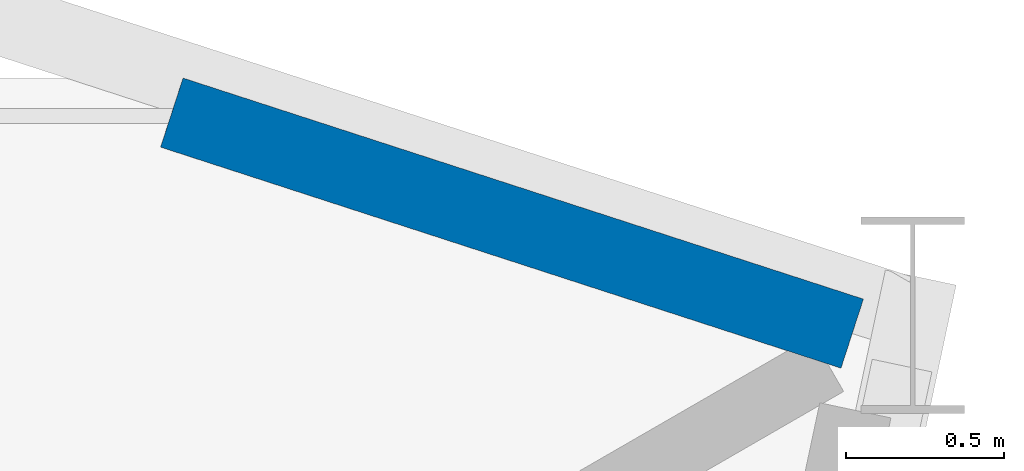
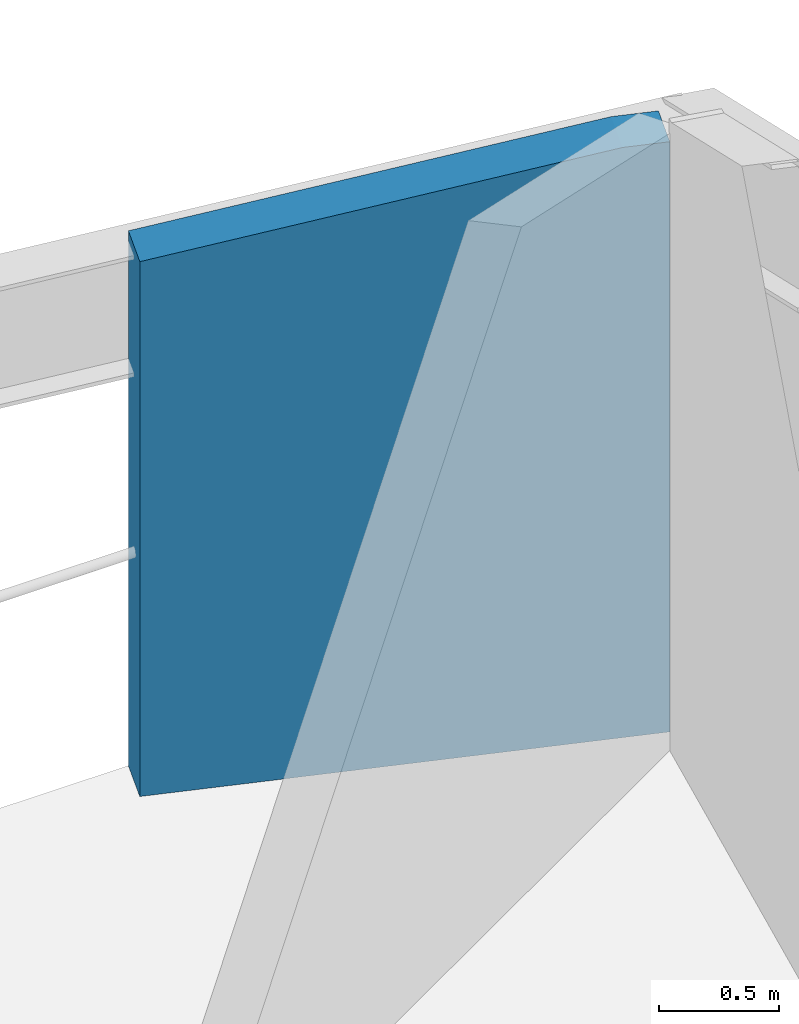
# One storey, part 9 of 10: 1 wall.
"""IFC4 building model written with IfcOpenShell, lengths in metres."""

from ifc_helpers import new_model, si_unit, direction, frame, origin, place, context, subcontext, project, spatial, polyline, outline, extrude, material, layer, layer_set, type_object, element, save


model = new_model("IFC4")

# Units and contexts
model_context = context("Model", 3, precision=1e-05, world=origin(), true_north=direction((0.0, 1.0)))
body_context = subcontext(model_context, "Body", "Model", "MODEL_VIEW")
ifc_project = project(units=[si_unit("LENGTHUNIT", "METRE"), si_unit("AREAUNIT", "SQUARE_METRE"), si_unit("VOLUMEUNIT", "CUBIC_METRE"), si_unit("PLANEANGLEUNIT", "RADIAN"), si_unit("MASSUNIT", "GRAM", prefix="KILO")], contexts=[model_context])

# Site, building, storey
site_placement = place(None, origin())
site = spatial("IfcSite", under=ifc_project, at=site_placement, CompositionType="ELEMENT")
building_placement = place(site_placement, origin())
building = spatial("IfcBuilding", under=site, at=building_placement, Name="Cormorant Prow Tower", CompositionType="ELEMENT")
storey_placement = place(building_placement, frame((0.0, 0.0, 441.199951171875)))
storey = spatial("IfcBuildingStorey", under=building, at=storey_placement, Name="L98", CompositionType="ELEMENT", Elevation=441.199951171875)

# Wall
ifc_material = material(Name="Terracotta", Category="masonry")
ifc_layer = layer(ifc_material, 0.22998046875)
ifc_layer_set = layer_set([ifc_layer], Name="Terracotta")
wall_type = type_object("IfcWallType", Name="Terracotta crown cladding wall 230", PredefinedType="SOLIDWALL", material=ifc_layer_set)
wall_placement = place(storey_placement, frame((18.93701171875, 10.9853515625, 0.0), z_axis=(0.0, 0.0, 1.0), x_axis=(-0.951072115375, 0.30896898122, 0.0)))
element("IfcWall", 1, at=wall_placement, inside=storey, type_object=wall_type, Name="Terracotta raked crown wall ENE05", PredefinedType="SOLIDWALL", context=body_context, shape_type="SweptSolid", body=[
    extrude(outline(polyline([(0.0, 0.0), (2.26318359375, 0.0), (2.262939453125, 2.7265625), (0.201904296875, 3.008544921875), (0.15673828125, 3.008544921875), (0.0, 3.008544921875), (0.0, 0.0)])), frame((0.0, 0.114990234375, 0.0), z_axis=(0.0, -1.0, 0.0), x_axis=(1.0, 0.0, 0.0)), (0.0, 0.0, 1.0), 0.22998046875),
])

save(model, "model.ifc")
